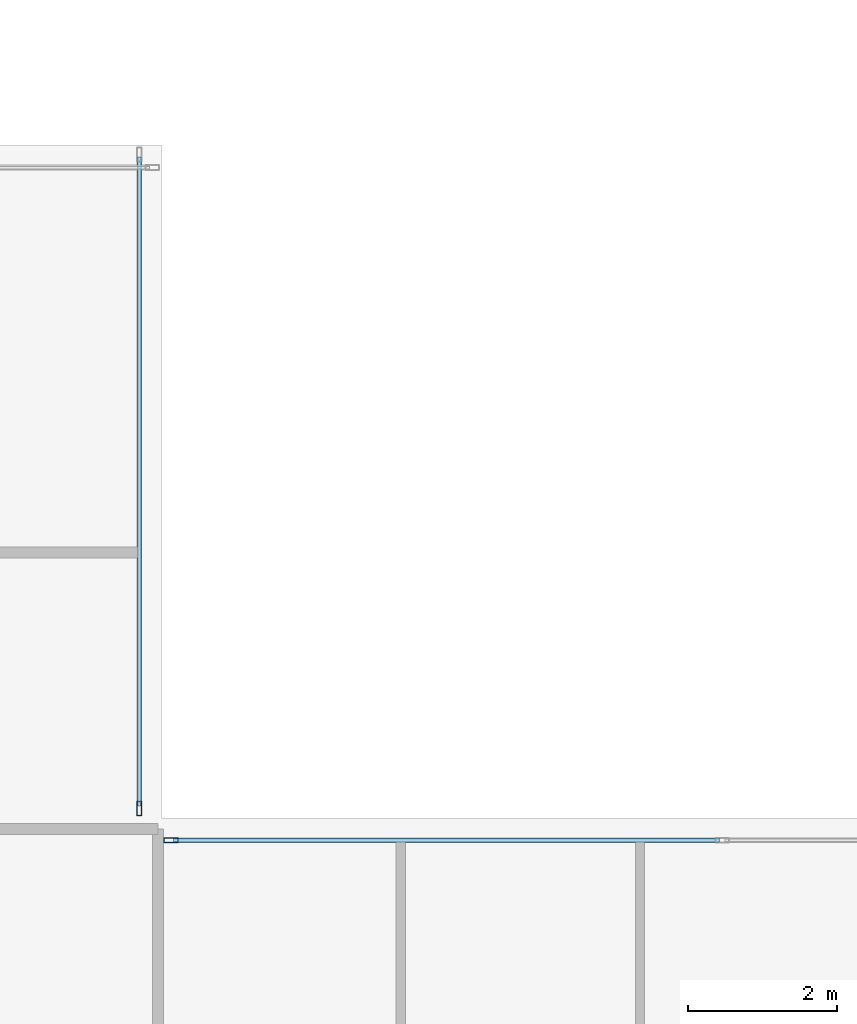
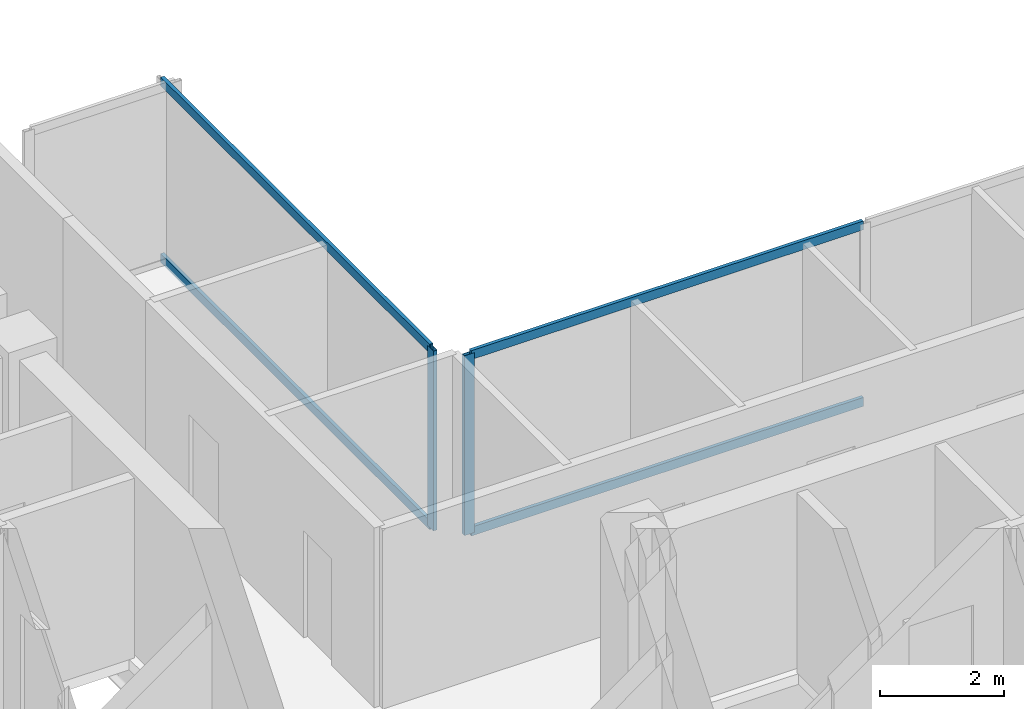
# One storey, part 9 of 21: 6 members, 2 elements without a shape of their own.
"""IFC4 building model written with IfcOpenShell, lengths in metres."""

from ifc_helpers import new_model, si_unit, direction, frame, origin, origin_2d, place, context, subcontext, project, spatial, hollow_rectangle, extrude, material, layer, layer_set, material_profile, profile_set, type_object, element, aggregate, save


model = new_model("IFC4")

# Units and contexts
model_context = context("Model", 3, precision=1e-05, world=origin(), true_north=direction((0.0, 1.0)))
body_context = subcontext(model_context, "Body", "Model", "MODEL_VIEW")
ifc_project = project(units=[si_unit("LENGTHUNIT", "METRE"), si_unit("AREAUNIT", "SQUARE_METRE"), si_unit("VOLUMEUNIT", "CUBIC_METRE"), si_unit("PLANEANGLEUNIT", "RADIAN"), si_unit("MASSUNIT", "GRAM", prefix="KILO"), si_unit("THERMODYNAMICTEMPERATUREUNIT", "KELVIN"), si_unit("POWERUNIT", "WATT")], contexts=[model_context])

# Site, building, storey
site_placement = place(None, origin())
site = spatial("IfcSite", under=ifc_project, at=site_placement, CompositionType="ELEMENT")
building_placement = place(site_placement, origin())
building = spatial("IfcBuilding", under=site, at=building_placement, Name="Svarakhadi Broadcast Tower", CompositionType="ELEMENT")
storey_placement = place(building_placement, frame((0.0, 0.0, 208.64990234375)))
storey = spatial("IfcBuildingStorey", under=building, at=storey_placement, Name="L51", CompositionType="ELEMENT", Elevation=208.64990234375)

# Curtain wall, member
ifc_material = material(Name="Anodised Bronze Aluminium AA 6063-T6", Category="aluminium")
ifc_layer = layer(ifc_material, 0.18994140625)
ifc_layer_set = layer_set([ifc_layer], Name="Anodised Bronze Aluminium AA 6063-T6")
curtain_wall_type = type_object("IfcCurtainWallType", Name="CW_Sys_04", PredefinedType="NOTDEFINED", material=ifc_layer_set)
curtain_wall_1_placement = place(storey_placement, origin())
curtain_wall_1 = element("IfcCurtainWall", 1, at=curtain_wall_1_placement, inside=storey, type_object=curtain_wall_type, Name="L51 Unitised Facade Curtain Wall 09", PredefinedType="NOTDEFINED")
ifc_material_profile_1 = material_profile(ifc_material, hollow_rectangle(XDim=0.070068359375, YDim=0.18994140625, WallThickness=0.005615234375, at=origin_2d()), Name="ALU MULLION 190x70x6")
ifc_profile_set_1 = profile_set([ifc_material_profile_1], Name="Anodised Bronze Aluminium AA 6063-T6")
member_type_1 = type_object("IfcMemberType", Name="CW_Sys_04_Mul", PredefinedType="MULLION", material=ifc_profile_set_1)
member_1_placement = place(storey_placement, frame((23.699951171875, 24.125, 0.0), z_axis=(0.0, 0.0, 1.0), x_axis=(1.0, 0.0, 0.0)))
member_1 = element("IfcMember", 2, at=member_1_placement, type_object=member_type_1, Name="CW-04 mullion 2", PredefinedType="MULLION", context=body_context, shape_type="SweptSolid", body=[
    extrude(hollow_rectangle(XDim=0.070068359375, YDim=0.18994140625, WallThickness=0.005615234375, at=origin_2d()), origin(), (0.0, 0.0, 1.0), 3.5400390625),
])

curtain_wall_2_placement = place(storey_placement, origin())
curtain_wall_2 = element("IfcCurtainWall", 3, at=curtain_wall_2_placement, inside=storey, type_object=curtain_wall_type, Name="L51 Unitised Facade Curtain Wall 10", PredefinedType="NOTDEFINED")
member_2_placement = place(storey_placement, frame((24.125, 23.699951171875, 0.0), z_axis=(0.0, 0.0, 1.0), x_axis=(0.0, 1.0, 0.0)))
member_2 = element("IfcMember", 4, at=member_2_placement, type_object=member_type_1, Name="CW-04 mullion 1", PredefinedType="MULLION", context=body_context, shape_type="SweptSolid", body=[
    extrude(hollow_rectangle(XDim=0.070068359375, YDim=0.18994140625, WallThickness=0.005615234375, at=origin_2d()), origin(), (0.0, 0.0, 1.0), 3.5400390625),
])

# Member
ifc_material_profile_2 = material_profile(ifc_material, hollow_rectangle(XDim=0.06494140625, YDim=0.175048828125, WallThickness=0.0048828125, at=origin_2d()), Name="ALU TRANSOM 175x65x5")
ifc_profile_set_2 = profile_set([ifc_material_profile_2], Name="Anodised Bronze Aluminium AA 6063-T6")
member_type_2 = type_object("IfcMemberType", Name="CW_Sys_04_Trn", PredefinedType="USERDEFINED", material=ifc_profile_set_2)
member_3_placement = place(storey_placement, frame((23.699951171875, 32.840087890625, 0.03271484375), z_axis=(0.0, -1.0, 0.0), x_axis=(1.0, 0.0, 0.0)))
member_3 = element("IfcMember", 5, at=member_3_placement, type_object=member_type_2, Name="CW-04 transom 1.1", ObjectType="TRANSOM", PredefinedType="USERDEFINED", context=body_context, shape_type="SweptSolid", body=[
    extrude(hollow_rectangle(XDim=0.06494140625, YDim=0.175048828125, WallThickness=0.0048828125, at=origin_2d()), origin(), (0.0, 0.0, 1.0), 8.68017578125),
])

member_4_placement = place(storey_placement, frame((23.699951171875, 32.840087890625, 3.507568359375), z_axis=(0.0, -1.0, 0.0), x_axis=(1.0, 0.0, 0.0)))
member_4 = element("IfcMember", 6, at=member_4_placement, type_object=member_type_2, Name="CW-04 transom 1.2", ObjectType="TRANSOM", PredefinedType="USERDEFINED", context=body_context, shape_type="SweptSolid", body=[
    extrude(hollow_rectangle(XDim=0.06494140625, YDim=0.175048828125, WallThickness=0.0048828125, at=origin_2d()), origin(), (0.0, 0.0, 1.0), 8.68017578125),
])

aggregate(curtain_wall_1, [member_1, member_3, member_4])

member_5_placement = place(storey_placement, frame((24.159912109375, 23.699951171875, 0.03271484375), z_axis=(1.0, 0.0, 0.0), x_axis=(0.0, 1.0, 0.0)))
member_5 = element("IfcMember", 7, at=member_5_placement, type_object=member_type_2, Name="CW-04 transom 1.1", ObjectType="TRANSOM", PredefinedType="USERDEFINED", context=body_context, shape_type="SweptSolid", body=[
    extrude(hollow_rectangle(XDim=0.06494140625, YDim=0.175048828125, WallThickness=0.0048828125, at=origin_2d()), origin(), (0.0, 0.0, 1.0), 7.30517578125),
])

member_6_placement = place(storey_placement, frame((24.159912109375, 23.699951171875, 3.507568359375), z_axis=(1.0, 0.0, 0.0), x_axis=(0.0, 1.0, 0.0)))
member_6 = element("IfcMember", 8, at=member_6_placement, type_object=member_type_2, Name="CW-04 transom 1.2", ObjectType="TRANSOM", PredefinedType="USERDEFINED", context=body_context, shape_type="SweptSolid", body=[
    extrude(hollow_rectangle(XDim=0.06494140625, YDim=0.175048828125, WallThickness=0.0048828125, at=origin_2d()), origin(), (0.0, 0.0, 1.0), 7.30517578125),
])

aggregate(curtain_wall_2, [member_2, member_5, member_6])

save(model, "model.ifc")
